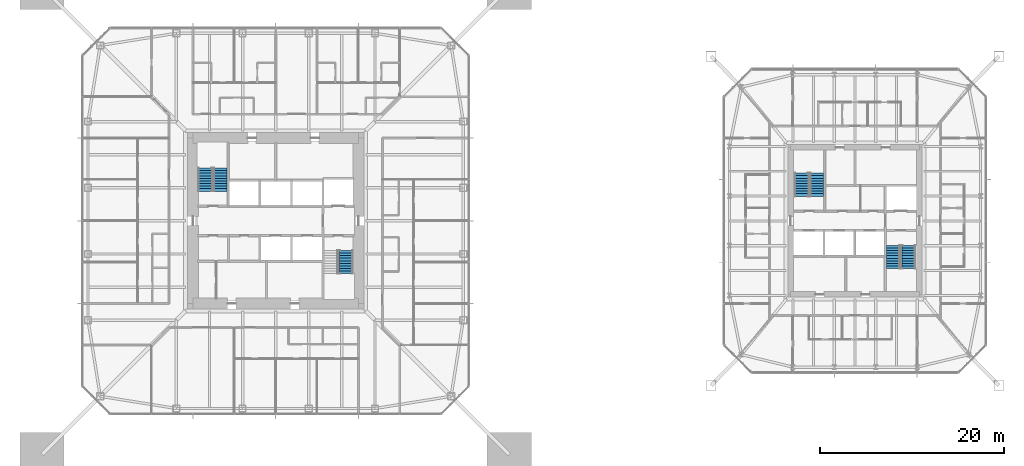
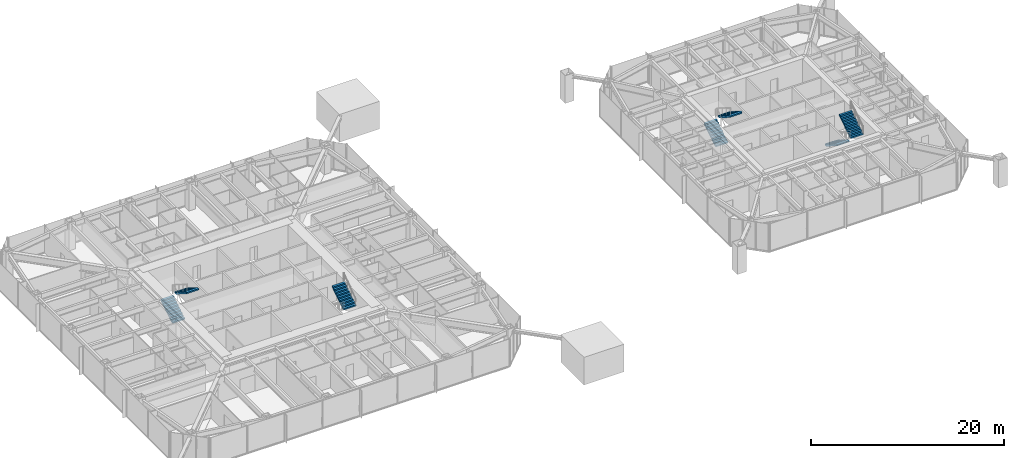
# One storey, part 20 of 25: 7 stair flights, 4 elements without a shape of their own.
"""IFC4 building model written with IfcOpenShell, lengths in metres."""

import ifcopenshell
import ifcopenshell.guid

model = None  # the IFC model being written
_history = None  # IfcOwnerHistory: only IFC2X3 demands one
_inside = {}  # id of a spatial element -> (the spatial element, [elements in it])
_under = {}  # id of a project, library or spatial element -> (it, [spatial elements below it])
_declared = {}  # id of a project -> (the project, [libraries it declares])
_typed = {}  # id of a type object -> (the type object, [elements of that type])
_made_of = {}  # id of a material, layer set ... -> (it, [elements and type objects made of it])


def new_model(schema):
    """Start an empty IFC model of exactly this schema.

    Asked for "IFC4X3", IfcOpenShell would pick the latest addendum, in which some entities
    have other attributes; the version numbers below select the first issue.
    IFC2X3 requires an IfcOwnerHistory on every rooted entity: one is made here for all.
    """
    global model, _history
    if schema == "IFC4X3":
        model = ifcopenshell.file(schema_version=(4, 3, 0, 0))
    else:
        model = ifcopenshell.file(schema=schema)
    _inside.clear()
    _under.clear()
    _declared.clear()
    _typed.clear()
    _made_of.clear()
    _history = None
    if model.schema == "IFC2X3":
        org = make("IfcOrganization", Name="unknown")
        user = make(
            "IfcPersonAndOrganization",
            ThePerson=make("IfcPerson", FamilyName="unknown"),
            TheOrganization=org,
        )
        app = make(
            "IfcApplication",
            ApplicationDeveloper=org,
            Version="unknown",
            ApplicationFullName="unknown",
            ApplicationIdentifier="unknown",
        )
        _history = make(
            "IfcOwnerHistory",
            OwningUser=user,
            OwningApplication=app,
            ChangeAction="ADDED",
            CreationDate=0,
        )
    return model


def make(cls, **values):
    """One entity of the class cls with the attributes given. An attribute that is None is left unset."""
    return model.create_entity(
        cls, **{name: value for name, value in values.items() if value is not None}
    )


def rooted(cls, **values):
    """An entity with a GlobalId (a new one), such as an element, a storey or a relation."""
    return make(cls, GlobalId=ifcopenshell.guid.new(), OwnerHistory=_history, **values)


def si_unit(unit_type, name, prefix=None):
    """IfcSIUnit, for example si_unit("LENGTHUNIT", "METRE", prefix="MILLI")."""
    return make("IfcSIUnit", UnitType=unit_type, Prefix=prefix, Name=name)


def assignment(units):
    """IfcUnitAssignment: the units of a project."""
    return None if units is None else make("IfcUnitAssignment", Units=units)


def point(xyz):
    """IfcCartesianPoint."""
    return None if xyz is None else make("IfcCartesianPoint", Coordinates=xyz)


def direction(xyz):
    """IfcDirection."""
    return None if xyz is None else make("IfcDirection", DirectionRatios=xyz)


def frame(location, z_axis=None, x_axis=None):
    """IfcAxis2Placement3D, a coordinate frame: its origin and axes. An axis left out is left unset."""
    return make(
        "IfcAxis2Placement3D",
        Location=point(location),
        Axis=direction(z_axis),
        RefDirection=direction(x_axis),
    )


def origin():
    """The frame at (0, 0, 0) with its axes left unset."""
    return frame((0.0, 0.0, 0.0))


def place(relative_to, where):
    """IfcLocalPlacement: puts the frame where relative to a parent placement (None: the world)."""
    return make(
        "IfcLocalPlacement", PlacementRelTo=relative_to, RelativePlacement=where
    )


def context(
    kind, dimensions, precision=None, world=None, true_north=None, identifier=None
):
    """IfcGeometricRepresentationContext, for example the 3D "Model" context."""
    return make(
        "IfcGeometricRepresentationContext",
        ContextIdentifier=identifier,
        ContextType=kind,
        CoordinateSpaceDimension=dimensions,
        Precision=precision,
        WorldCoordinateSystem=world,
        TrueNorth=true_north,
    )


def subcontext(parent, identifier, kind, view, scale=None):
    """IfcGeometricRepresentationSubContext, for example "Body" below "Model"."""
    return make(
        "IfcGeometricRepresentationSubContext",
        ContextIdentifier=identifier,
        ContextType=kind,
        ParentContext=parent,
        TargetScale=scale,
        TargetView=view,
    )


def project(units=None, contexts=None):
    """IfcProject with its units and contexts."""
    return rooted(
        "IfcProject",
        Name="project",
        RepresentationContexts=contexts,
        UnitsInContext=assignment(units),
    )


def spatial(cls, under=None, at=None, **own):
    """A site, building, storey or space (cls), placed at a placement, below another one or the project."""
    s = rooted(cls, ObjectPlacement=at, **own)
    if under is not None:
        _under.setdefault(under.id(), (under, []))[1].append(s)
    return s


def polyline(points):
    """IfcPolyline through the points."""
    return make("IfcPolyline", Points=[point(p) for p in points])


def outline(outer, holes=None, kind="AREA"):
    """IfcArbitraryClosedProfileDef: a profile drawn as a closed curve; with holes, ...WithVoids."""
    if holes is None:
        return make("IfcArbitraryClosedProfileDef", ProfileType=kind, OuterCurve=outer)
    return make(
        "IfcArbitraryProfileDefWithVoids",
        ProfileType=kind,
        OuterCurve=outer,
        InnerCurves=holes,
    )


def extrude(swept, where, along, depth):
    """IfcExtrudedAreaSolid: the profile swept, set in the frame where, extruded along a direction by depth."""
    return make(
        "IfcExtrudedAreaSolid",
        SweptArea=swept,
        Position=where,
        ExtrudedDirection=direction(along),
        Depth=depth,
    )


def shape(context_of_items, identifier, shape_type, items):
    """IfcShapeRepresentation: the items that make up one representation, for example the "Body"."""
    return make(
        "IfcShapeRepresentation",
        ContextOfItems=context_of_items,
        RepresentationIdentifier=identifier,
        RepresentationType=shape_type,
        Items=items,
    )


def material(Name=None, Category=None):
    """IfcMaterial."""
    return make("IfcMaterial", Name=Name, Category=Category)


def constituent(of_material, Name=None, Category=None, fraction=None):
    """IfcMaterialConstituent: one of the materials an element consists of."""
    return make(
        "IfcMaterialConstituent",
        Name=Name,
        Material=of_material,
        Fraction=fraction,
        Category=Category,
    )


def constituent_set(constituents=None, Name=None):
    """IfcMaterialConstituentSet."""
    return make(
        "IfcMaterialConstituentSet", Name=Name, MaterialConstituents=constituents
    )


def made_of(thing, what):
    """Note that an element or type object is made of a material, layer set ...; save() writes the relation."""
    if what is not None:
        _made_of.setdefault(what.id(), (what, []))[1].append(thing)
    return thing


def type_object(cls, material=None, **own):
    """A type object (cls), such as IfcWallType, which elements share."""
    return made_of(rooted(cls, **own), material)


def element(
    cls,
    number,
    at=None,
    inside=None,
    cuts=None,
    type_object=None,
    material=None,
    context=None,
    identifier="Body",
    shape_type=None,
    held_by="IfcProductDefinitionShape",
    body=None,
    shapes=None,
    **own,
):
    """One element of the class cls, such as IfcWall. Its Tag is "e" and its number.

    at: its placement. inside: the storey or other place that contains it. cuts: it is an
    opening in that element (IfcRelVoidsElement). A single representation is given by context,
    identifier, shape_type and body (its items); several are given by shapes. held_by: the class
    of the entity that holds the representations. save() writes the other relations.
    """
    e = rooted(cls, Tag="e%d" % number, ObjectPlacement=at, **own)
    if body is not None:
        shapes = [shape(context, identifier, shape_type, body)]
    if shapes is not None:
        e.Representation = make(held_by, Representations=shapes)
    if inside is not None:
        _inside.setdefault(inside.id(), (inside, []))[1].append(e)
    if cuts is not None:
        rooted(
            "IfcRelVoidsElement", RelatingBuildingElement=cuts, RelatedOpeningElement=e
        )
    if type_object is not None:
        _typed.setdefault(type_object.id(), (type_object, []))[1].append(e)
    return made_of(e, material)


def aggregate(whole, parts):
    """IfcRelAggregates: a whole, such as a stair, and the parts it consists of."""
    return rooted("IfcRelAggregates", RelatingObject=whole, RelatedObjects=parts)


def save(model, path):
    """Write the relations noted so far, then the file.

    IfcRelAggregates (storeys below a building ...), IfcRelContainedInSpatialStructure (elements
    in a storey), IfcRelDefinesByType, IfcRelAssociatesMaterial and IfcRelDeclares: one each for
    every whole, place, type object, material and project.
    """
    for whole, parts in _under.values():
        aggregate(whole, parts)
    for where, things in _inside.values():
        rooted(
            "IfcRelContainedInSpatialStructure",
            RelatedElements=things,
            RelatingStructure=where,
        )
    for kind, things in _typed.values():
        rooted("IfcRelDefinesByType", RelatedObjects=things, RelatingType=kind)
    for what, things in _made_of.values():
        rooted("IfcRelAssociatesMaterial", RelatedObjects=things, RelatingMaterial=what)
    for by, libraries in _declared.values():
        rooted("IfcRelDeclares", RelatingContext=by, RelatedDefinitions=libraries)
    model.write(path)


model = new_model("IFC4")

# Units and contexts
model_context = context("Model", 3, precision=1e-05, world=origin(), true_north=direction((0.0, 1.0)))
body_context = subcontext(model_context, "Body", "Model", "MODEL_VIEW")
ifc_project = project(units=[si_unit("LENGTHUNIT", "METRE"), si_unit("AREAUNIT", "SQUARE_METRE"), si_unit("VOLUMEUNIT", "CUBIC_METRE"), si_unit("PLANEANGLEUNIT", "RADIAN"), si_unit("MASSUNIT", "GRAM", prefix="KILO")], contexts=[model_context])

# Site, building, storey
site_placement = place(None, origin())
site = spatial("IfcSite", under=ifc_project, at=site_placement, CompositionType="ELEMENT")
building_placement = place(site_placement, origin())
building = spatial("IfcBuilding", under=site, at=building_placement, Name="Iwan Alto Co-Living Towers", CompositionType="ELEMENT")
storey_placement = place(building_placement, frame((0.0, 0.0, 112.0)))
storey = spatial("IfcBuildingStorey", under=building, at=storey_placement, Name="L30", CompositionType="ELEMENT", Elevation=112.0)

# Stair, stair flights
ifc_material_1 = material(Name="Steel ASTM A36", Category="steel")
ifc_constituent_1 = constituent(ifc_material_1, Name="Stringers", Category="LoadBearing")
ifc_material_2 = material(Name="Concrete f'c 30 MPa", Category="concrete")
ifc_constituent_2 = constituent(ifc_material_2, Name="Tread fill", Category="Finish")
ifc_constituent_set_1 = constituent_set(constituents=[ifc_constituent_1, ifc_constituent_2], Name="STAIR 3500 TWO-FLIGHT T1 CORE")
stair_type_1 = type_object("IfcStairType", Name="STAIR 3500 TWO-FLIGHT T1 CORE", PredefinedType="HALF_TURN_STAIR", material=ifc_constituent_set_1)
stair_1_placement = place(storey_placement, origin())
stair_1 = element("IfcStair", 1, at=stair_1_placement, inside=storey, type_object=stair_type_1, Name="Stair T1-S1 L30 to L31", PredefinedType="HALF_TURN_STAIR")
ifc_constituent_3 = constituent(ifc_material_1, Name="Stringers", Category="LoadBearing")
ifc_constituent_4 = constituent(ifc_material_2, Name="Tread fill", Category="Finish")
ifc_constituent_set_2 = constituent_set(constituents=[ifc_constituent_3, ifc_constituent_4], Name="STAIR FLIGHT 10 RISERS 280 GOING")
stair_flight_type = type_object("IfcStairFlightType", Name="STAIR FLIGHT 10 RISERS 280 GOING", PredefinedType="STRAIGHT", material=ifc_constituent_set_2)
stair_flight_1_placement = place(storey_placement, frame((-7.68994140625, 3.219970703125, 0.0), z_axis=(0.0, 0.0, 1.0), x_axis=(0.0, 1.0, 0.0)))
stair_flight_1 = element("IfcStairFlight", 2, at=stair_flight_1_placement, type_object=stair_flight_type, Name="T1-S1 flight 1", NumberOfRisers=10, NumberOfTreads=9, PredefinedType="STRAIGHT", RiserHeight=0.175, TreadLength=0.28, context=body_context, shape_type="SweptSolid", body=[
    extrude(outline(polyline([(0.0, 0.0), (0.0, 0.175048828125), (0.280029296875, 0.175048828125), (0.280029296875, 0.35009765625), (0.56005859375, 0.35009765625), (0.56005859375, 0.52490234375), (0.840087890625, 0.52490234375), (0.840087890625, 0.699951171875), (1.1201171875, 0.699951171875), (1.1201171875, 0.875), (1.39990234375, 0.875), (1.39990234375, 1.050048828125), (1.679931640625, 1.050048828125), (1.679931640625, 1.22509765625), (1.9599609375, 1.22509765625), (1.9599609375, 1.39990234375), (2.239990234375, 1.39990234375), (2.239990234375, 1.574951171875), (2.52001953125, 1.574951171875), (2.52001953125, 1.75), (2.52001953125, 1.398193359375), (0.28271484375, 0.0), (0.0, 0.0)])), frame((0.0, 0.739990234375, 0.0), z_axis=(0.0, -1.0, 0.0), x_axis=(1.0, 0.0, 0.0)), (0.0, 0.0, 1.0), 1.47998046875),
])
stair_flight_2_placement = place(storey_placement, frame((-6.010009765625, 5.739990234375, 1.75), z_axis=(0.0, 0.0, 1.0), x_axis=(0.0, -1.0, 0.0)))
stair_flight_2 = element("IfcStairFlight", 3, at=stair_flight_2_placement, type_object=stair_flight_type, Name="T1-S1 flight 2", NumberOfRisers=10, NumberOfTreads=9, PredefinedType="STRAIGHT", RiserHeight=0.175, TreadLength=0.28, context=body_context, shape_type="SweptSolid", body=[
    extrude(outline(polyline([(0.0, 0.0), (0.0, 0.175048828125), (0.280029296875, 0.175048828125), (0.280029296875, 0.35009765625), (0.56005859375, 0.35009765625), (0.56005859375, 0.52490234375), (0.840087890625, 0.52490234375), (0.840087890625, 0.699951171875), (1.1201171875, 0.699951171875), (1.1201171875, 0.875), (1.39990234375, 0.875), (1.39990234375, 1.050048828125), (1.679931640625, 1.050048828125), (1.679931640625, 1.22509765625), (1.9599609375, 1.22509765625), (1.9599609375, 1.39990234375), (2.239990234375, 1.39990234375), (2.239990234375, 1.574951171875), (2.52001953125, 1.574951171875), (2.52001953125, 1.75), (2.52001953125, 1.398193359375), (0.28271484375, 0.0), (0.0, 0.0)])), frame((0.0, 0.739990234375, 0.0), z_axis=(0.0, -1.0, 0.0), x_axis=(1.0, 0.0, 0.0)), (0.0, 0.0, 1.0), 1.47998046875),
])
aggregate(stair_1, [stair_flight_1, stair_flight_2])

# Stair, stair flight
stair_2_placement = place(storey_placement, origin())
stair_2 = element("IfcStair", 4, at=stair_2_placement, inside=storey, type_object=stair_type_1, Name="Stair T1-S2 L30 to L31", PredefinedType="HALF_TURN_STAIR")
stair_flight_3_placement = place(storey_placement, frame((7.68994140625, -5.739990234375, 1.75), z_axis=(0.0, 0.0, 1.0), x_axis=(0.0, 1.0, 0.0)))
stair_flight_3 = element("IfcStairFlight", 5, at=stair_flight_3_placement, type_object=stair_flight_type, Name="T1-S2 flight 2", NumberOfRisers=10, NumberOfTreads=9, PredefinedType="STRAIGHT", RiserHeight=0.175, TreadLength=0.28, context=body_context, shape_type="SweptSolid", body=[
    extrude(outline(polyline([(0.0, 0.0), (0.0, 0.175048828125), (0.280029296875, 0.175048828125), (0.280029296875, 0.35009765625), (0.56005859375, 0.35009765625), (0.56005859375, 0.52490234375), (0.840087890625, 0.52490234375), (0.840087890625, 0.699951171875), (1.1201171875, 0.699951171875), (1.1201171875, 0.875), (1.39990234375, 0.875), (1.39990234375, 1.050048828125), (1.679931640625, 1.050048828125), (1.679931640625, 1.22509765625), (1.9599609375, 1.22509765625), (1.9599609375, 1.39990234375), (2.239990234375, 1.39990234375), (2.239990234375, 1.574951171875), (2.52001953125, 1.574951171875), (2.52001953125, 1.75), (2.52001953125, 1.398193359375), (0.28271484375, 0.0), (0.0, 0.0)])), frame((0.0, 0.739990234375, 0.0), z_axis=(0.0, -1.0, 0.0), x_axis=(1.0, 0.0, 0.0)), (0.0, 0.0, 1.0), 1.47998046875),
])
aggregate(stair_2, [stair_flight_3])

# Stair, stair flights
ifc_constituent_5 = constituent(ifc_material_1, Name="Stringers", Category="LoadBearing")
ifc_constituent_6 = constituent(ifc_material_2, Name="Tread fill", Category="Finish")
ifc_constituent_set_3 = constituent_set(constituents=[ifc_constituent_5, ifc_constituent_6], Name="STAIR 3500 TWO-FLIGHT T2 CORE")
stair_type_2 = type_object("IfcStairType", Name="STAIR 3500 TWO-FLIGHT T2 CORE", PredefinedType="HALF_TURN_STAIR", material=ifc_constituent_set_3)
stair_3_placement = place(storey_placement, origin())
stair_3 = element("IfcStair", 6, at=stair_3_placement, inside=storey, type_object=stair_type_2, Name="Stair T2-S1 L30 to L31", PredefinedType="HALF_TURN_STAIR")
stair_flight_4_placement = place(storey_placement, frame((57.159912109375, 2.669921875, 0.0), z_axis=(0.0, 0.0, 1.0), x_axis=(0.0, 1.0, 0.0)))
stair_flight_4 = element("IfcStairFlight", 7, at=stair_flight_4_placement, type_object=stair_flight_type, Name="T2-S1 flight 1", NumberOfRisers=10, NumberOfTreads=9, PredefinedType="STRAIGHT", RiserHeight=0.175, TreadLength=0.28, context=body_context, shape_type="SweptSolid", body=[
    extrude(outline(polyline([(0.0, 0.0), (0.0, 0.175048828125), (0.280029296875, 0.175048828125), (0.280029296875, 0.35009765625), (0.56005859375, 0.35009765625), (0.56005859375, 0.52490234375), (0.840087890625, 0.52490234375), (0.840087890625, 0.699951171875), (1.1201171875, 0.699951171875), (1.1201171875, 0.875), (1.39990234375, 0.875), (1.39990234375, 1.050048828125), (1.679931640625, 1.050048828125), (1.679931640625, 1.22509765625), (1.9599609375, 1.22509765625), (1.9599609375, 1.39990234375), (2.239990234375, 1.39990234375), (2.239990234375, 1.574951171875), (2.52001953125, 1.574951171875), (2.52001953125, 1.75), (2.52001953125, 1.398193359375), (0.28271484375, 0.0), (0.0, 0.0)])), frame((0.0, 0.739990234375, 0.0), z_axis=(0.0, -1.0, 0.0), x_axis=(1.0, 0.0, 0.0)), (0.0, 0.0, 1.0), 1.47998046875),
])
stair_flight_5_placement = place(storey_placement, frame((58.840087890625, 5.18994140625, 1.75), z_axis=(0.0, 0.0, 1.0), x_axis=(0.0, -1.0, 0.0)))
stair_flight_5 = element("IfcStairFlight", 8, at=stair_flight_5_placement, type_object=stair_flight_type, Name="T2-S1 flight 2", NumberOfRisers=10, NumberOfTreads=9, PredefinedType="STRAIGHT", RiserHeight=0.175, TreadLength=0.28, context=body_context, shape_type="SweptSolid", body=[
    extrude(outline(polyline([(0.0, 0.0), (0.0, 0.175048828125), (0.280029296875, 0.175048828125), (0.280029296875, 0.35009765625), (0.56005859375, 0.35009765625), (0.56005859375, 0.52490234375), (0.840087890625, 0.52490234375), (0.840087890625, 0.699951171875), (1.1201171875, 0.699951171875), (1.1201171875, 0.875), (1.39990234375, 0.875), (1.39990234375, 1.050048828125), (1.679931640625, 1.050048828125), (1.679931640625, 1.22509765625), (1.9599609375, 1.22509765625), (1.9599609375, 1.39990234375), (2.239990234375, 1.39990234375), (2.239990234375, 1.574951171875), (2.52001953125, 1.574951171875), (2.52001953125, 1.75), (2.52001953125, 1.398193359375), (0.28271484375, 0.0), (0.0, 0.0)])), frame((0.0, 0.739990234375, 0.0), z_axis=(0.0, -1.0, 0.0), x_axis=(1.0, 0.0, 0.0)), (0.0, 0.0, 1.0), 1.47998046875),
])
aggregate(stair_3, [stair_flight_4, stair_flight_5])

stair_4_placement = place(storey_placement, origin())
stair_4 = element("IfcStair", 9, at=stair_4_placement, inside=storey, type_object=stair_type_2, Name="Stair T2-S2 L30 to L31", PredefinedType="HALF_TURN_STAIR")
stair_flight_6_placement = place(storey_placement, frame((67.159912109375, -2.669921875, 0.0), z_axis=(0.0, 0.0, 1.0), x_axis=(0.0, -1.0, 0.0)))
stair_flight_6 = element("IfcStairFlight", 10, at=stair_flight_6_placement, type_object=stair_flight_type, Name="T2-S2 flight 1", NumberOfRisers=10, NumberOfTreads=9, PredefinedType="STRAIGHT", RiserHeight=0.175, TreadLength=0.28, context=body_context, shape_type="SweptSolid", body=[
    extrude(outline(polyline([(0.0, 0.0), (0.0, 0.175048828125), (0.280029296875, 0.175048828125), (0.280029296875, 0.35009765625), (0.56005859375, 0.35009765625), (0.56005859375, 0.52490234375), (0.840087890625, 0.52490234375), (0.840087890625, 0.699951171875), (1.1201171875, 0.699951171875), (1.1201171875, 0.875), (1.39990234375, 0.875), (1.39990234375, 1.050048828125), (1.679931640625, 1.050048828125), (1.679931640625, 1.22509765625), (1.9599609375, 1.22509765625), (1.9599609375, 1.39990234375), (2.239990234375, 1.39990234375), (2.239990234375, 1.574951171875), (2.52001953125, 1.574951171875), (2.52001953125, 1.75), (2.52001953125, 1.398193359375), (0.28271484375, 0.0), (0.0, 0.0)])), frame((0.0, 0.739990234375, 0.0), z_axis=(0.0, -1.0, 0.0), x_axis=(1.0, 0.0, 0.0)), (0.0, 0.0, 1.0), 1.47998046875),
])
stair_flight_7_placement = place(storey_placement, frame((68.840087890625, -5.18994140625, 1.75), z_axis=(0.0, 0.0, 1.0), x_axis=(0.0, 1.0, 0.0)))
stair_flight_7 = element("IfcStairFlight", 11, at=stair_flight_7_placement, type_object=stair_flight_type, Name="T2-S2 flight 2", NumberOfRisers=10, NumberOfTreads=9, PredefinedType="STRAIGHT", RiserHeight=0.175, TreadLength=0.28, context=body_context, shape_type="SweptSolid", body=[
    extrude(outline(polyline([(0.0, 0.0), (0.0, 0.175048828125), (0.280029296875, 0.175048828125), (0.280029296875, 0.35009765625), (0.56005859375, 0.35009765625), (0.56005859375, 0.52490234375), (0.840087890625, 0.52490234375), (0.840087890625, 0.699951171875), (1.1201171875, 0.699951171875), (1.1201171875, 0.875), (1.39990234375, 0.875), (1.39990234375, 1.050048828125), (1.679931640625, 1.050048828125), (1.679931640625, 1.22509765625), (1.9599609375, 1.22509765625), (1.9599609375, 1.39990234375), (2.239990234375, 1.39990234375), (2.239990234375, 1.574951171875), (2.52001953125, 1.574951171875), (2.52001953125, 1.75), (2.52001953125, 1.398193359375), (0.28271484375, 0.0), (0.0, 0.0)])), frame((0.0, 0.739990234375, 0.0), z_axis=(0.0, -1.0, 0.0), x_axis=(1.0, 0.0, 0.0)), (0.0, 0.0, 1.0), 1.47998046875),
])
aggregate(stair_4, [stair_flight_6, stair_flight_7])

save(model, "model.ifc")
